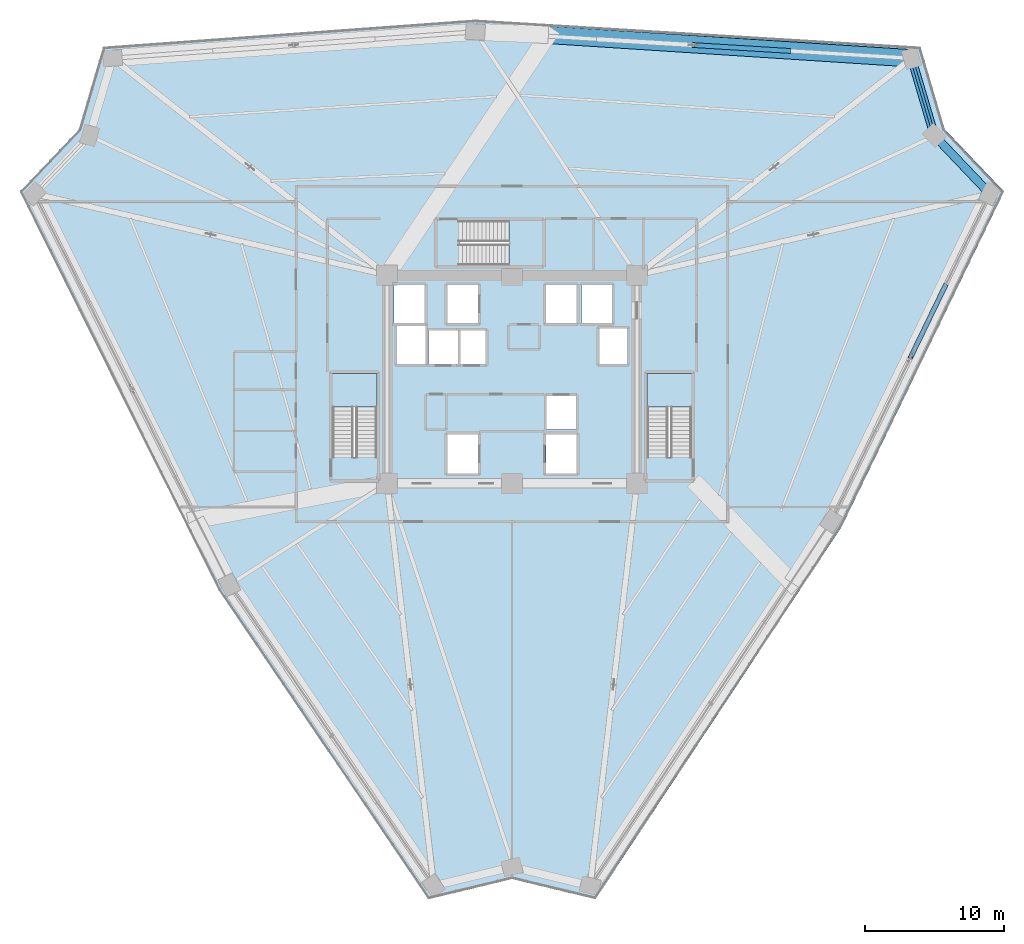
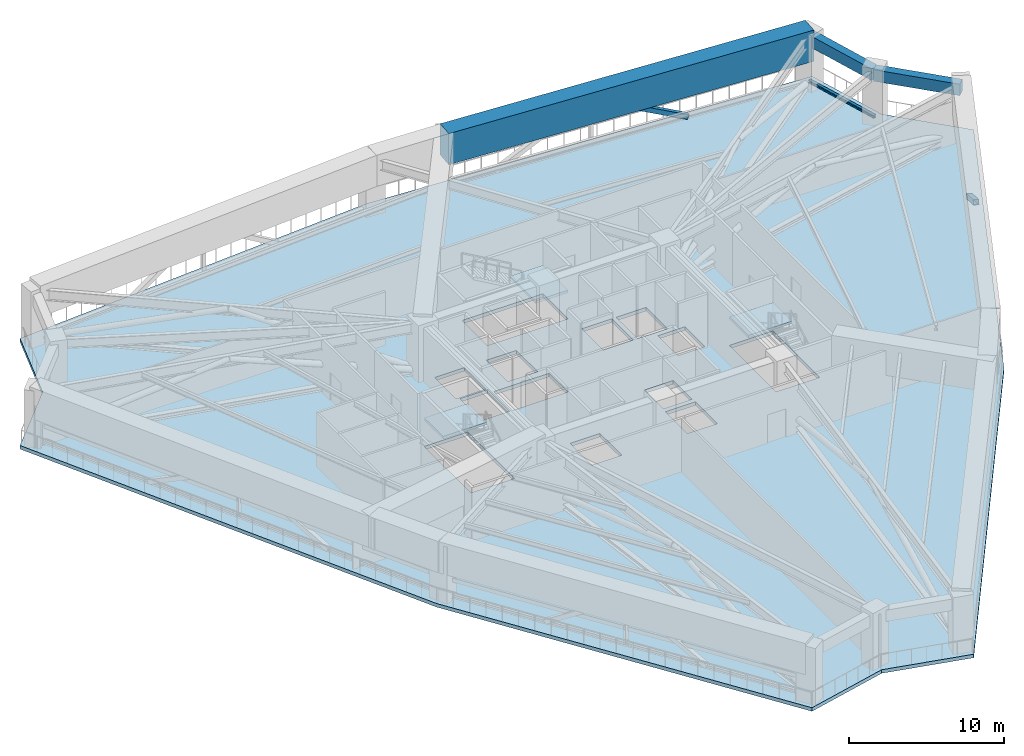
# One storey, part 12 of 27: 4 slabs, 3 beams, 3 members, 3 elements without a shape of their own.
"""IFC4 building model written with IfcOpenShell, lengths in metres."""

from ifc_helpers import new_model, si_unit, direction, frame, origin, origin_2d, place, context, subcontext, project, spatial, polyline, rectangle, hollow_rectangle, i_section, outline, extrude, source, transform, mapped, material, layer, layer_set, material_profile, profile_set, type_object, element, aggregate, save


model = new_model("IFC4")

# Units and contexts
model_context = context("Model", 3, precision=1e-05, world=origin(), true_north=direction((0.0, 1.0)))
body_context = subcontext(model_context, "Body", "Model", "MODEL_VIEW")
ifc_project = project(units=[si_unit("LENGTHUNIT", "METRE"), si_unit("AREAUNIT", "SQUARE_METRE"), si_unit("VOLUMEUNIT", "CUBIC_METRE"), si_unit("PLANEANGLEUNIT", "RADIAN"), si_unit("MASSUNIT", "GRAM", prefix="KILO")], contexts=[model_context])

# Site, building, storey
site_placement = place(None, origin())
site = spatial("IfcSite", under=ifc_project, at=site_placement, CompositionType="ELEMENT")
building_placement = place(site_placement, origin())
building = spatial("IfcBuilding", under=site, at=building_placement, Name="Liaohun Quay Tower", CompositionType="ELEMENT")
storey_placement = place(building_placement, frame((0.0, 0.0, 185.25)))
storey = spatial("IfcBuildingStorey", under=building, at=storey_placement, Name="L48", CompositionType="ELEMENT", Elevation=185.25)

# Beams
ifc_material_1 = material(Name="Precast concrete C55", Category="concrete")
ifc_material_profile_1 = material_profile(ifc_material_1, rectangle(XDim=0.60009765625, YDim=0.89990234375, at=origin_2d()), Name="RC600x900")
ifc_profile_set_1 = profile_set([ifc_material_profile_1], Name="Precast concrete C55")
beam_type_1 = type_object("IfcBeamType", Name="BM-SPD-Z2", PredefinedType="SPANDREL", material=ifc_profile_set_1)
shared_shape_1 = source(origin(), body_context, "Body", "SweptSolid", [
    extrude(rectangle(XDim=0.60009765625, YDim=0.89990234375, at=origin_2d()), origin(), (0.0, 0.0, 1.0), 5.793701171875),
])
beam_1_placement = place(storey_placement, frame((88.7880859375, 77.1240234375, 3.77001953125), z_axis=(0.282875757191, -0.959156559688, 0.0), x_axis=(0.959156559688, 0.282875757191, 0.0)))
element("IfcBeam", 1, at=beam_1_placement, inside=storey, type_object=beam_type_1, Name="L48 Precast Spandrel Beam PC07-PC08", PredefinedType="SPANDREL", context=body_context, shape_type="MappedRepresentation", body=[
    mapped(shared_shape_1, transform((0.0, 0.0, 0.0), x_axis=(1.0, 0.0, 0.0), y_axis=(0.0, 1.0, 0.0), z_axis=(0.0, 0.0, 1.0), scale=1.0)),
])
shared_shape_2 = source(origin(), body_context, "Body", "SweptSolid", [
    extrude(rectangle(XDim=0.60009765625, YDim=0.89990234375, at=origin_2d()), origin(), (0.0, 0.0, 1.0), 5.800048828125),
])
beam_2_placement = place(storey_placement, frame((90.427001953125, 71.56689453125, 3.77001953125), z_axis=(0.689314548472, -0.724462182081, 0.0), x_axis=(0.724462182081, 0.689314548472, 0.0)))
element("IfcBeam", 2, at=beam_2_placement, inside=storey, type_object=beam_type_1, Name="L48 Precast Spandrel Beam PC08-PC09", PredefinedType="SPANDREL", context=body_context, shape_type="MappedRepresentation", body=[
    mapped(shared_shape_2, transform((0.0, 0.0, 0.0), x_axis=(1.0, 0.0, 0.0), y_axis=(0.0, 1.0, 0.0), z_axis=(0.0, 0.0, 1.0), scale=1.0)),
])
ifc_material_2 = material(Name="Concrete C60", Category="concrete")
ifc_material_profile_2 = material_profile(ifc_material_2, rectangle(XDim=1.25, YDim=2.449951171875, at=origin_2d()), Name="RC1250x2450")
ifc_profile_set_2 = profile_set([ifc_material_profile_2], Name="Concrete C60")
beam_type_2 = type_object("IfcBeamType", Name="BM-TRF-1", PredefinedType="BEAM", material=ifc_profile_set_2)
shared_shape_3 = source(origin(), body_context, "Body", "SweptSolid", [
    extrude(rectangle(XDim=1.25, YDim=2.449951171875, at=origin_2d()), origin(), (0.0, 0.0, 1.0), 26.222412109375),
])
beam_3_placement = place(storey_placement, frame((62.6201171875, 78.81201171875, 3.5), z_axis=(0.997925964986, -0.064372108915, 0.0), x_axis=(0.064372108915, 0.997925964986, 0.0)))
element("IfcBeam", 3, at=beam_3_placement, inside=storey, type_object=beam_type_2, Name="L48 Zone-Break Transfer Spandrel PC06-PC07", PredefinedType="BEAM", context=body_context, shape_type="MappedRepresentation", body=[
    mapped(shared_shape_3, transform((0.0, 0.0, 0.0), x_axis=(1.0, 0.0, 0.0), y_axis=(0.0, 1.0, 0.0), z_axis=(0.0, 0.0, 1.0), scale=1.0)),
])

# Members
ifc_material_3 = material(Name="Steel Q355D", Category="steel")
ifc_material_profile_3 = material_profile(ifc_material_3, hollow_rectangle(XDim=0.35009765625, YDim=0.35009765625, WallThickness=0.01611328125, at=origin_2d()), Name="SHS350x350x16")
ifc_profile_set_3 = profile_set([ifc_material_profile_3], Name="Steel Q355D")
member_type_1 = type_object("IfcMemberType", Name="MEM-BLT-DG2", PredefinedType="BRACE", material=ifc_profile_set_3)
shared_shape_4 = source(origin(), body_context, "Body", "SweptSolid", [
    extrude(hollow_rectangle(XDim=0.35009765625, YDim=0.35009765625, WallThickness=0.01611328125, at=origin_2d()), origin(), (0.0, 0.0, 1.0), 7.79345703125),
])
member_1_placement = place(storey_placement, frame((73.072021484375, 78.077880859375, 3.919921875), z_axis=(0.88729541253, -0.053756493712, -0.458057955162), x_axis=(0.060473780291, 0.998169786107, 0.0)))
element("IfcMember", 4, at=member_1_placement, inside=storey, type_object=member_type_1, Name="L48 Belt Truss Diagonal BD-04B", PredefinedType="BRACE", context=body_context, shape_type="MappedRepresentation", body=[
    mapped(shared_shape_4, transform((0.0, 0.0, 0.0), x_axis=(1.0, 0.0, 0.0), y_axis=(0.0, 1.0, 0.0), z_axis=(0.0, 0.0, 1.0), scale=1.0)),
])
shared_shape_5 = source(origin(), body_context, "Body", "SweptSolid", [
    extrude(hollow_rectangle(XDim=0.35009765625, YDim=0.35009765625, WallThickness=0.01611328125, at=origin_2d()), origin(), (0.0, 0.0, 1.0), 6.783203125),
])
member_2_placement = place(storey_placement, frame((91.22705078125, 60.760009765625, 0.35009765625), z_axis=(-0.3706512953, -0.765273629896, 0.526283087966), x_axis=(0.89999429744, -0.435901668471, 0.0)))
element("IfcMember", 5, at=member_2_placement, inside=storey, type_object=member_type_1, Name="L48 Belt Truss Diagonal BD-05A", PredefinedType="BRACE", context=body_context, shape_type="MappedRepresentation", body=[
    mapped(shared_shape_5, transform((0.0, 0.0, 0.0), x_axis=(1.0, 0.0, 0.0), y_axis=(0.0, 1.0, 0.0), z_axis=(0.0, 0.0, 1.0), scale=1.0)),
])
ifc_material_profile_4 = material_profile(ifc_material_3, i_section(OverallWidth=0.199951171875, OverallDepth=0.199951171875, WebThickness=0.008056640625, FlangeThickness=0.011962890625, at=origin_2d()), Name="HW200x200x8x12")
ifc_profile_set_4 = profile_set([ifc_material_profile_4], Name="Steel Q355D")
member_type_2 = type_object("IfcMemberType", Name="MEM-HDR-TRM", PredefinedType="STUD", material=ifc_profile_set_4)
shared_shape_6 = source(origin(), body_context, "Body", "SweptSolid", [
    extrude(i_section(OverallWidth=0.199951171875, OverallDepth=0.199951171875, WebThickness=0.008056640625, FlangeThickness=0.011962890625, at=origin_2d()), origin(), (0.0, 0.0, 1.0), 5.793701171875),
])
member_3_placement = place(storey_placement, frame((88.7880859375, 77.1240234375, 0.35009765625), z_axis=(0.282875757191, -0.959156559688, 0.0), x_axis=(0.959156559688, 0.282875757191, 0.0)))
element("IfcMember", 6, at=member_3_placement, inside=storey, type_object=member_type_2, Name="L48 Refuge Notch Header Tie Stud HT-1-02", PredefinedType="STUD", context=body_context, shape_type="MappedRepresentation", body=[
    mapped(shared_shape_6, transform((0.0, 0.0, 0.0), x_axis=(1.0, 0.0, 0.0), y_axis=(0.0, 1.0, 0.0), z_axis=(0.0, 0.0, 1.0), scale=1.0)),
])

# Stair, slab
ifc_material_4 = material(Name="Concrete C45", Category="concrete")
stair_type = type_object("IfcStairType", Name="STR-CORE-TALL", PredefinedType="HALF_TURN_STAIR", material=ifc_material_4)
stair_1_placement = place(storey_placement, origin())
stair_1 = element("IfcStair", 7, at=stair_1_placement, inside=storey, type_object=stair_type, Name="L48 Smokeproof Core Exit Stair ST-1", PredefinedType="HALF_TURN_STAIR")
ifc_layer_1 = layer(ifc_material_4, 0.199951171875, Name="Concrete C45", Category="concrete")
ifc_layer_set_1 = layer_set([ifc_layer_1], Name="Concrete C45")
slab_type_1 = type_object("IfcSlabType", Name="SLB-LND-200", PredefinedType="LANDING", material=ifc_layer_set_1)
slab_1_placement = place(storey_placement, frame((0.0, 0.0, 2.050048828125)))
slab_1 = element("IfcSlab", 8, at=slab_1_placement, type_object=slab_type_1, Name="ST-1 landing 1", PredefinedType="LANDING", context=body_context, shape_type="SweptSolid", body=[
    extrude(outline(polyline([(50.280029296875, 51.989990234375), (50.280029296875, 54.419921875), (47.0400390625, 54.419921875), (47.0400390625, 51.989990234375), (50.280029296875, 51.989990234375)])), origin(), (0.0, 0.0, 1.0), 0.199951171875),
])
aggregate(stair_1, [slab_1])

stair_2_placement = place(storey_placement, origin())
stair_2 = element("IfcStair", 9, at=stair_2_placement, inside=storey, type_object=stair_type, Name="L48 Smokeproof Core Exit Stair ST-2", PredefinedType="HALF_TURN_STAIR")
slab_2_placement = place(storey_placement, frame((0.0, 0.0, 2.050048828125)))
slab_2 = element("IfcSlab", 10, at=slab_2_placement, type_object=slab_type_1, Name="ST-2 landing 1", PredefinedType="LANDING", context=body_context, shape_type="SweptSolid", body=[
    extrude(outline(polyline([(72.9599609375, 51.989990234375), (72.9599609375, 54.419921875), (69.719970703125, 54.419921875), (69.719970703125, 51.989990234375), (72.9599609375, 51.989990234375)])), origin(), (0.0, 0.0, 1.0), 0.199951171875),
])
aggregate(stair_2, [slab_2])

stair_3_placement = place(storey_placement, origin())
stair_3 = element("IfcStair", 11, at=stair_3_placement, inside=storey, type_object=stair_type, Name="L48 Smokeproof Core Exit Stair ST-3", PredefinedType="HALF_TURN_STAIR")
slab_3_placement = place(storey_placement, frame((0.0, 0.0, 2.050048828125)))
slab_3 = element("IfcSlab", 12, at=slab_3_placement, type_object=slab_type_1, Name="ST-3 landing 1", PredefinedType="LANDING", context=body_context, shape_type="SweptSolid", body=[
    extrude(outline(polyline([(59.7900390625, 62.199951171875), (62.219970703125, 62.199951171875), (62.219970703125, 65.43994140625), (59.7900390625, 65.43994140625), (59.7900390625, 62.199951171875)])), origin(), (0.0, 0.0, 1.0), 0.199951171875),
])
aggregate(stair_3, [slab_3])

# Slab
ifc_material_5 = material(Name="Concrete C50", Category="concrete")
ifc_layer_2 = layer(ifc_material_5, 0.280029296875, Name="Concrete C50", Category="concrete")
ifc_layer_set_2 = layer_set([ifc_layer_2], Name="Concrete C50")
slab_type_2 = type_object("IfcSlabType", Name="SLB-REF-280", PredefinedType="FLOOR", material=ifc_layer_set_2)
slab_4_placement = place(storey_placement, frame((0.0, 0.0, -0.280029296875)))
element("IfcSlab", 13, at=slab_4_placement, inside=storey, type_object=slab_type_2, Name="L48 Structural Floor Slab", PredefinedType="FLOOR", context=body_context, shape_type="SweptSolid", body=[
    extrude(outline(polyline([(53.989013671875, 16.5400390625), (60.0, 17.991943359375), (66.010986328125, 16.5400390625), (83.741943359375, 43.35205078125), (95.447021484375, 67.52392578125), (91.18408203125, 72.00390625), (89.43505859375, 77.93603515625), (57.35107421875, 79.885009765625), (30.56494140625, 77.93603515625), (28.81591796875, 72.00390625), (24.552978515625, 67.52392578125), (38.906982421875, 38.762939453125), (53.989013671875, 16.5400390625)]), holes=[polyline([(57.56005859375, 50.030029296875), (55.340087890625, 50.030029296875), (55.340087890625, 47.2099609375), (57.56005859375, 47.2099609375), (57.56005859375, 50.030029296875)]), polyline([(50.280029296875, 54.419921875), (47.0400390625, 54.419921875), (47.0400390625, 48.409912109375), (50.280029296875, 48.409912109375), (50.280029296875, 54.419921875)]), polyline([(53.989990234375, 55.090087890625), (58.110107421875, 55.090087890625), (58.110107421875, 57.510009765625), (53.989990234375, 57.510009765625), (53.989990234375, 55.090087890625)]), polyline([(53.760009765625, 55.090087890625), (53.760009765625, 57.909912109375), (51.7099609375, 57.909912109375), (51.7099609375, 55.090087890625), (53.760009765625, 55.090087890625)]), polyline([(53.7099609375, 58.0400390625), (53.7099609375, 60.7900390625), (51.489990234375, 60.7900390625), (51.489990234375, 58.0400390625), (53.7099609375, 58.0400390625)]), polyline([(57.56005859375, 58.0400390625), (57.56005859375, 60.7900390625), (55.340087890625, 60.7900390625), (55.340087890625, 58.0400390625), (57.56005859375, 58.0400390625)]), polyline([(64.659912109375, 50.030029296875), (62.43994140625, 50.030029296875), (62.43994140625, 47.2099609375), (64.659912109375, 47.2099609375), (64.659912109375, 50.030029296875)]), polyline([(72.9599609375, 54.419921875), (69.719970703125, 54.419921875), (69.719970703125, 48.409912109375), (72.9599609375, 48.409912109375), (72.9599609375, 54.419921875)]), polyline([(64.610107421875, 50.389892578125), (64.610107421875, 52.81005859375), (62.489990234375, 52.81005859375), (62.489990234375, 50.389892578125), (64.610107421875, 50.389892578125)]), polyline([(68.2900390625, 55.090087890625), (68.2900390625, 57.659912109375), (66.2900390625, 57.659912109375), (66.2900390625, 55.090087890625), (68.2900390625, 55.090087890625)]), polyline([(64.659912109375, 58.0400390625), (64.659912109375, 60.7900390625), (62.43994140625, 60.7900390625), (62.43994140625, 58.0400390625), (64.659912109375, 58.0400390625)]), polyline([(67.2099609375, 58.0400390625), (67.2099609375, 60.7900390625), (64.989990234375, 60.7900390625), (64.989990234375, 58.0400390625), (67.2099609375, 58.0400390625)]), polyline([(62.219970703125, 62.199951171875), (62.219970703125, 65.43994140625), (56.2099609375, 65.43994140625), (56.2099609375, 62.199951171875), (62.219970703125, 62.199951171875)])]), origin(), (0.0, 0.0, 1.0), 0.280029296875),
])

save(model, "model.ifc")
